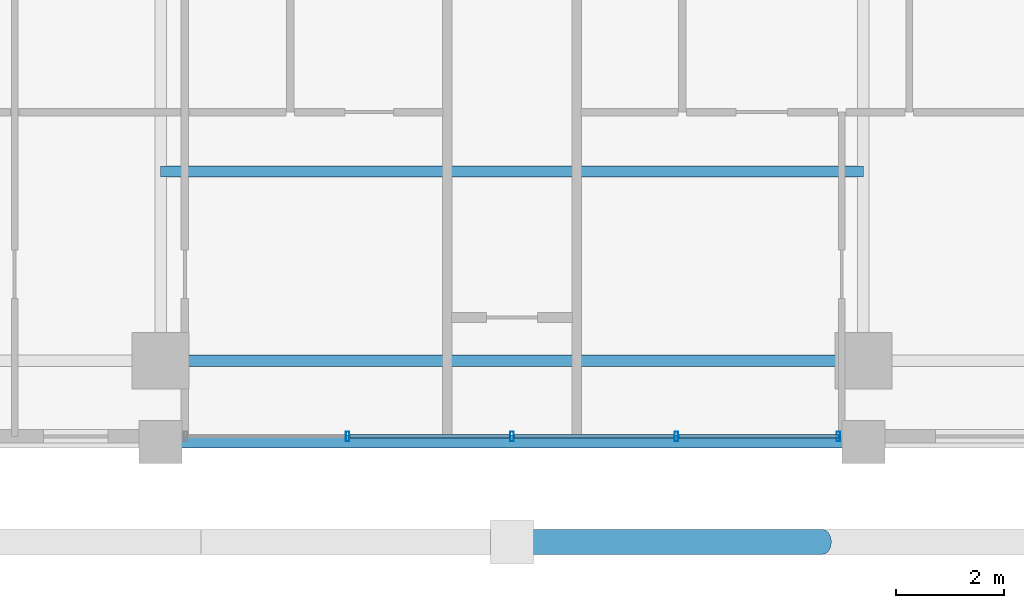
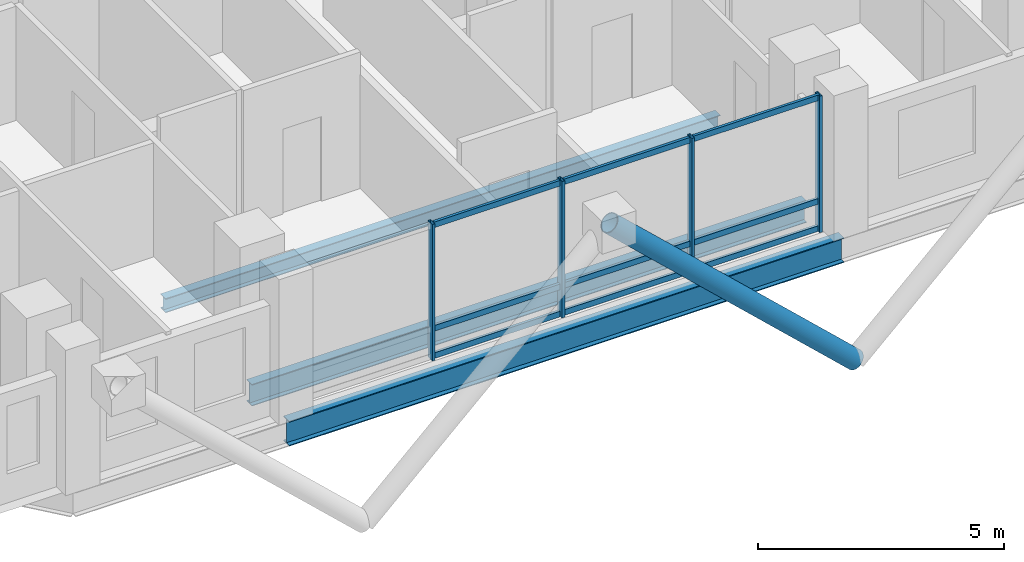
# One storey, part 4 of 24: 14 members, 3 beams, 1 element without a shape of its own.
"""IFC4 building model written with IfcOpenShell, lengths in metres."""

import ifcopenshell
import ifcopenshell.guid

model = None  # the IFC model being written
_history = None  # IfcOwnerHistory: only IFC2X3 demands one
_inside = {}  # id of a spatial element -> (the spatial element, [elements in it])
_under = {}  # id of a project, library or spatial element -> (it, [spatial elements below it])
_declared = {}  # id of a project -> (the project, [libraries it declares])
_typed = {}  # id of a type object -> (the type object, [elements of that type])
_made_of = {}  # id of a material, layer set ... -> (it, [elements and type objects made of it])


def new_model(schema):
    """Start an empty IFC model of exactly this schema.

    Asked for "IFC4X3", IfcOpenShell would pick the latest addendum, in which some entities
    have other attributes; the version numbers below select the first issue.
    IFC2X3 requires an IfcOwnerHistory on every rooted entity: one is made here for all.
    """
    global model, _history
    if schema == "IFC4X3":
        model = ifcopenshell.file(schema_version=(4, 3, 0, 0))
    else:
        model = ifcopenshell.file(schema=schema)
    _inside.clear()
    _under.clear()
    _declared.clear()
    _typed.clear()
    _made_of.clear()
    _history = None
    if model.schema == "IFC2X3":
        org = make("IfcOrganization", Name="unknown")
        user = make(
            "IfcPersonAndOrganization",
            ThePerson=make("IfcPerson", FamilyName="unknown"),
            TheOrganization=org,
        )
        app = make(
            "IfcApplication",
            ApplicationDeveloper=org,
            Version="unknown",
            ApplicationFullName="unknown",
            ApplicationIdentifier="unknown",
        )
        _history = make(
            "IfcOwnerHistory",
            OwningUser=user,
            OwningApplication=app,
            ChangeAction="ADDED",
            CreationDate=0,
        )
    return model


def make(cls, **values):
    """One entity of the class cls with the attributes given. An attribute that is None is left unset."""
    return model.create_entity(
        cls, **{name: value for name, value in values.items() if value is not None}
    )


def rooted(cls, **values):
    """An entity with a GlobalId (a new one), such as an element, a storey or a relation."""
    return make(cls, GlobalId=ifcopenshell.guid.new(), OwnerHistory=_history, **values)


def si_unit(unit_type, name, prefix=None):
    """IfcSIUnit, for example si_unit("LENGTHUNIT", "METRE", prefix="MILLI")."""
    return make("IfcSIUnit", UnitType=unit_type, Prefix=prefix, Name=name)


def assignment(units):
    """IfcUnitAssignment: the units of a project."""
    return None if units is None else make("IfcUnitAssignment", Units=units)


def point(xyz):
    """IfcCartesianPoint."""
    return None if xyz is None else make("IfcCartesianPoint", Coordinates=xyz)


def direction(xyz):
    """IfcDirection."""
    return None if xyz is None else make("IfcDirection", DirectionRatios=xyz)


def frame(location, z_axis=None, x_axis=None):
    """IfcAxis2Placement3D, a coordinate frame: its origin and axes. An axis left out is left unset."""
    return make(
        "IfcAxis2Placement3D",
        Location=point(location),
        Axis=direction(z_axis),
        RefDirection=direction(x_axis),
    )


def frame_2d(location, x_axis=None):
    """IfcAxis2Placement2D, a coordinate frame in the plane: its origin and x axis."""
    return make(
        "IfcAxis2Placement2D", Location=point(location), RefDirection=direction(x_axis)
    )


def origin():
    """The frame at (0, 0, 0) with its axes left unset."""
    return frame((0.0, 0.0, 0.0))


def origin_2d():
    """The frame at (0, 0) in the plane with its x axis left unset."""
    return frame_2d((0.0, 0.0))


def place(relative_to, where):
    """IfcLocalPlacement: puts the frame where relative to a parent placement (None: the world)."""
    return make(
        "IfcLocalPlacement", PlacementRelTo=relative_to, RelativePlacement=where
    )


def context(
    kind, dimensions, precision=None, world=None, true_north=None, identifier=None
):
    """IfcGeometricRepresentationContext, for example the 3D "Model" context."""
    return make(
        "IfcGeometricRepresentationContext",
        ContextIdentifier=identifier,
        ContextType=kind,
        CoordinateSpaceDimension=dimensions,
        Precision=precision,
        WorldCoordinateSystem=world,
        TrueNorth=true_north,
    )


def subcontext(parent, identifier, kind, view, scale=None):
    """IfcGeometricRepresentationSubContext, for example "Body" below "Model"."""
    return make(
        "IfcGeometricRepresentationSubContext",
        ContextIdentifier=identifier,
        ContextType=kind,
        ParentContext=parent,
        TargetScale=scale,
        TargetView=view,
    )


def project(units=None, contexts=None):
    """IfcProject with its units and contexts."""
    return rooted(
        "IfcProject",
        Name="project",
        RepresentationContexts=contexts,
        UnitsInContext=assignment(units),
    )


def spatial(cls, under=None, at=None, **own):
    """A site, building, storey or space (cls), placed at a placement, below another one or the project."""
    s = rooted(cls, ObjectPlacement=at, **own)
    if under is not None:
        _under.setdefault(under.id(), (under, []))[1].append(s)
    return s


def profile(cls, at=None, kind="AREA", **sizes):
    """A parametric profile (cls). Its sizes go by their IFC names, for example OverallWidth=200.0."""
    return make(cls, ProfileType=kind, Position=at, **sizes)


def hollow_rectangle(**sizes):
    """IfcRectangleHollowProfileDef."""
    return profile("IfcRectangleHollowProfileDef", **sizes)


def hollow_circle(**sizes):
    """IfcCircleHollowProfileDef."""
    return profile("IfcCircleHollowProfileDef", **sizes)


def i_section(**sizes):
    """IfcIShapeProfileDef."""
    return profile("IfcIShapeProfileDef", **sizes)


def extrude(swept, where, along, depth):
    """IfcExtrudedAreaSolid: the profile swept, set in the frame where, extruded along a direction by depth."""
    return make(
        "IfcExtrudedAreaSolid",
        SweptArea=swept,
        Position=where,
        ExtrudedDirection=direction(along),
        Depth=depth,
    )


def shape(context_of_items, identifier, shape_type, items):
    """IfcShapeRepresentation: the items that make up one representation, for example the "Body"."""
    return make(
        "IfcShapeRepresentation",
        ContextOfItems=context_of_items,
        RepresentationIdentifier=identifier,
        RepresentationType=shape_type,
        Items=items,
    )


def material(Name=None, Category=None):
    """IfcMaterial."""
    return make("IfcMaterial", Name=Name, Category=Category)


def layer(
    of_material, thickness, ventilated=None, Name=None, Category=None, Priority=None
):
    """IfcMaterialLayer: one layer of a wall or slab, of a material (None: an air gap)."""
    return make(
        "IfcMaterialLayer",
        Material=of_material,
        LayerThickness=thickness,
        IsVentilated=ventilated,
        Name=Name,
        Category=Category,
        Priority=Priority,
    )


def layer_set(layers, Name=None):
    """IfcMaterialLayerSet."""
    return make("IfcMaterialLayerSet", MaterialLayers=layers, LayerSetName=Name)


def material_profile(
    of_material, cross_section, Name=None, Category=None, Priority=None
):
    """IfcMaterialProfile: a cross section and its material."""
    return make(
        "IfcMaterialProfile",
        Name=Name,
        Material=of_material,
        Profile=cross_section,
        Priority=Priority,
        Category=Category,
    )


def profile_set(profiles, Name=None, composite=None):
    """IfcMaterialProfileSet."""
    return make(
        "IfcMaterialProfileSet",
        Name=Name,
        MaterialProfiles=profiles,
        CompositeProfile=composite,
    )


def made_of(thing, what):
    """Note that an element or type object is made of a material, layer set ...; save() writes the relation."""
    if what is not None:
        _made_of.setdefault(what.id(), (what, []))[1].append(thing)
    return thing


def type_object(cls, material=None, **own):
    """A type object (cls), such as IfcWallType, which elements share."""
    return made_of(rooted(cls, **own), material)


def element(
    cls,
    number,
    at=None,
    inside=None,
    cuts=None,
    type_object=None,
    material=None,
    context=None,
    identifier="Body",
    shape_type=None,
    held_by="IfcProductDefinitionShape",
    body=None,
    shapes=None,
    **own,
):
    """One element of the class cls, such as IfcWall. Its Tag is "e" and its number.

    at: its placement. inside: the storey or other place that contains it. cuts: it is an
    opening in that element (IfcRelVoidsElement). A single representation is given by context,
    identifier, shape_type and body (its items); several are given by shapes. held_by: the class
    of the entity that holds the representations. save() writes the other relations.
    """
    e = rooted(cls, Tag="e%d" % number, ObjectPlacement=at, **own)
    if body is not None:
        shapes = [shape(context, identifier, shape_type, body)]
    if shapes is not None:
        e.Representation = make(held_by, Representations=shapes)
    if inside is not None:
        _inside.setdefault(inside.id(), (inside, []))[1].append(e)
    if cuts is not None:
        rooted(
            "IfcRelVoidsElement", RelatingBuildingElement=cuts, RelatedOpeningElement=e
        )
    if type_object is not None:
        _typed.setdefault(type_object.id(), (type_object, []))[1].append(e)
    return made_of(e, material)


def aggregate(whole, parts):
    """IfcRelAggregates: a whole, such as a stair, and the parts it consists of."""
    return rooted("IfcRelAggregates", RelatingObject=whole, RelatedObjects=parts)


def save(model, path):
    """Write the relations noted so far, then the file.

    IfcRelAggregates (storeys below a building ...), IfcRelContainedInSpatialStructure (elements
    in a storey), IfcRelDefinesByType, IfcRelAssociatesMaterial and IfcRelDeclares: one each for
    every whole, place, type object, material and project.
    """
    for whole, parts in _under.values():
        aggregate(whole, parts)
    for where, things in _inside.values():
        rooted(
            "IfcRelContainedInSpatialStructure",
            RelatedElements=things,
            RelatingStructure=where,
        )
    for kind, things in _typed.values():
        rooted("IfcRelDefinesByType", RelatedObjects=things, RelatingType=kind)
    for what, things in _made_of.values():
        rooted("IfcRelAssociatesMaterial", RelatedObjects=things, RelatingMaterial=what)
    for by, libraries in _declared.values():
        rooted("IfcRelDeclares", RelatingContext=by, RelatedDefinitions=libraries)
    model.write(path)


model = new_model("IFC4")

# Units and contexts
model_context = context("Model", 3, precision=1e-05, world=origin(), true_north=direction((0.0, 1.0)))
body_context = subcontext(model_context, "Body", "Model", "MODEL_VIEW")
ifc_project = project(units=[si_unit("LENGTHUNIT", "METRE"), si_unit("AREAUNIT", "SQUARE_METRE"), si_unit("VOLUMEUNIT", "CUBIC_METRE"), si_unit("PLANEANGLEUNIT", "RADIAN"), si_unit("MASSUNIT", "GRAM", prefix="KILO")], contexts=[model_context])

# Site, building, storey
site_placement = place(None, origin())
site = spatial("IfcSite", under=ifc_project, at=site_placement, CompositionType="ELEMENT")
building_placement = place(site_placement, origin())
building = spatial("IfcBuilding", under=site, at=building_placement, Name="Barlavira Tower and Art Museum", CompositionType="ELEMENT")
storey_placement = place(building_placement, frame((0.0, 0.0, 194.39990234375)))
storey = spatial("IfcBuildingStorey", under=building, at=storey_placement, Name="L50", CompositionType="ELEMENT", Elevation=194.39990234375)

# Curtain wall, members
ifc_material_1 = material(Name="Low-iron coastal laminated glass", Category="glass")
ifc_layer = layer(ifc_material_1, 0.199951171875, Name="Low-iron coastal laminated glass")
ifc_layer_set = layer_set([ifc_layer], Name="Low-iron coastal laminated glass")
curtain_wall_type = type_object("IfcCurtainWallType", Name="Pale-Metal Unitised Curtain Wall Zone 3", PredefinedType="NOTDEFINED", material=ifc_layer_set)
curtain_wall_placement = place(storey_placement, origin())
curtain_wall = element("IfcCurtainWall", 1, at=curtain_wall_placement, inside=storey, type_object=curtain_wall_type, Name="L50 Curtain Wall CW3-L50-S-B3", PredefinedType="NOTDEFINED")
ifc_material_2 = material(Name="Pale anodised aluminium", Category="aluminium")
ifc_material_profile_1 = material_profile(ifc_material_2, hollow_rectangle(XDim=0.06494140625, YDim=0.179931640625, WallThickness=0.00390625, at=origin_2d()), Name="ALU-MULL 65x180x4")
ifc_profile_set_1 = profile_set([ifc_material_profile_1], Name="Pale anodised aluminium")
member_type_1 = type_object("IfcMemberType", Name="Curtain Wall Pale-Metal Mullion 65x180", PredefinedType="MULLION", material=ifc_profile_set_1)
member_1_placement = place(storey_placement, frame((-3.0400390625, -21.39990234375, 0.0), z_axis=(0.0, 0.0, 1.0), x_axis=(1.0, 0.0, 0.0)))
member_1 = element("IfcMember", 2, at=member_1_placement, type_object=member_type_1, Name="CW3-L50-S-B3 Mullion 1", PredefinedType="MULLION", context=body_context, shape_type="SweptSolid", body=[
    extrude(hollow_rectangle(XDim=0.06494140625, YDim=0.179931640625, WallThickness=0.00390625, at=origin_2d()), origin(), (0.0, 0.0, 1.0), 3.380126953125),
])
member_2_placement = place(storey_placement, frame((0.0, -21.39990234375, 0.0), z_axis=(0.0, 0.0, 1.0), x_axis=(1.0, 0.0, 0.0)))
member_2 = element("IfcMember", 3, at=member_2_placement, type_object=member_type_1, Name="CW3-L50-S-B3 Mullion 2", PredefinedType="MULLION", context=body_context, shape_type="SweptSolid", body=[
    extrude(hollow_rectangle(XDim=0.06494140625, YDim=0.179931640625, WallThickness=0.00390625, at=origin_2d()), origin(), (0.0, 0.0, 1.0), 3.380126953125),
])
member_3_placement = place(storey_placement, frame((3.0400390625, -21.39990234375, 0.0), z_axis=(0.0, 0.0, 1.0), x_axis=(1.0, 0.0, 0.0)))
member_3 = element("IfcMember", 4, at=member_3_placement, type_object=member_type_1, Name="CW3-L50-S-B3 Mullion 3", PredefinedType="MULLION", context=body_context, shape_type="SweptSolid", body=[
    extrude(hollow_rectangle(XDim=0.06494140625, YDim=0.179931640625, WallThickness=0.00390625, at=origin_2d()), origin(), (0.0, 0.0, 1.0), 3.380126953125),
])
member_4_placement = place(storey_placement, frame((6.034912109375, -21.39990234375, 0.0), z_axis=(0.0, 0.0, 1.0), x_axis=(1.0, 0.0, 0.0)))
member_4 = element("IfcMember", 5, at=member_4_placement, type_object=member_type_1, Name="CW3-L50-S-B3 Mullion 4", PredefinedType="MULLION", context=body_context, shape_type="SweptSolid", body=[
    extrude(hollow_rectangle(XDim=0.06494140625, YDim=0.179931640625, WallThickness=0.00390625, at=origin_2d()), origin(), (0.0, 0.0, 1.0), 3.380126953125),
])
ifc_material_profile_2 = material_profile(ifc_material_2, hollow_rectangle(XDim=0.06494140625, YDim=0.139892578125, WallThickness=0.00390625, at=origin_2d()), Name="ALU-TRAN 65x140x4")
ifc_profile_set_2 = profile_set([ifc_material_profile_2], Name="Pale anodised aluminium")
member_type_2 = type_object("IfcMemberType", Name="Curtain Wall Pale-Metal Transom 65x140", PredefinedType="USERDEFINED", material=ifc_profile_set_2)
member_5_placement = place(storey_placement, frame((-2.9951171875, -21.39990234375, 0.070068359375), z_axis=(1.0, 0.0, 0.0), x_axis=(0.0, 1.0, 0.0)))
member_5 = element("IfcMember", 6, at=member_5_placement, type_object=member_type_2, Name="CW3-L50-S-B3 Transom 1.1", ObjectType="TRANSOM", PredefinedType="USERDEFINED", context=body_context, shape_type="SweptSolid", body=[
    extrude(hollow_rectangle(XDim=0.06494140625, YDim=0.139892578125, WallThickness=0.00390625, at=origin_2d()), origin(), (0.0, 0.0, 1.0), 2.9501953125),
])
member_6_placement = place(storey_placement, frame((-2.9951171875, -21.39990234375, 0.744140625), z_axis=(1.0, 0.0, 0.0), x_axis=(0.0, 1.0, 0.0)))
member_6 = element("IfcMember", 7, at=member_6_placement, type_object=member_type_2, Name="CW3-L50-S-B3 Transom 1.2", ObjectType="TRANSOM", PredefinedType="USERDEFINED", context=body_context, shape_type="SweptSolid", body=[
    extrude(hollow_rectangle(XDim=0.06494140625, YDim=0.139892578125, WallThickness=0.00390625, at=origin_2d()), origin(), (0.0, 0.0, 1.0), 2.9501953125),
])
member_7_placement = place(storey_placement, frame((-2.9951171875, -21.39990234375, 3.31005859375), z_axis=(1.0, 0.0, 0.0), x_axis=(0.0, 1.0, 0.0)))
member_7 = element("IfcMember", 8, at=member_7_placement, type_object=member_type_2, Name="CW3-L50-S-B3 Transom 1.3", ObjectType="TRANSOM", PredefinedType="USERDEFINED", context=body_context, shape_type="SweptSolid", body=[
    extrude(hollow_rectangle(XDim=0.06494140625, YDim=0.139892578125, WallThickness=0.00390625, at=origin_2d()), origin(), (0.0, 0.0, 1.0), 2.9501953125),
])
member_8_placement = place(storey_placement, frame((0.044921875, -21.39990234375, 0.070068359375), z_axis=(1.0, 0.0, 0.0), x_axis=(0.0, 1.0, 0.0)))
member_8 = element("IfcMember", 9, at=member_8_placement, type_object=member_type_2, Name="CW3-L50-S-B3 Transom 2.1", ObjectType="TRANSOM", PredefinedType="USERDEFINED", context=body_context, shape_type="SweptSolid", body=[
    extrude(hollow_rectangle(XDim=0.06494140625, YDim=0.139892578125, WallThickness=0.00390625, at=origin_2d()), origin(), (0.0, 0.0, 1.0), 2.9501953125),
])
member_9_placement = place(storey_placement, frame((0.044921875, -21.39990234375, 0.744140625), z_axis=(1.0, 0.0, 0.0), x_axis=(0.0, 1.0, 0.0)))
member_9 = element("IfcMember", 10, at=member_9_placement, type_object=member_type_2, Name="CW3-L50-S-B3 Transom 2.2", ObjectType="TRANSOM", PredefinedType="USERDEFINED", context=body_context, shape_type="SweptSolid", body=[
    extrude(hollow_rectangle(XDim=0.06494140625, YDim=0.139892578125, WallThickness=0.00390625, at=origin_2d()), origin(), (0.0, 0.0, 1.0), 2.9501953125),
])
member_10_placement = place(storey_placement, frame((0.044921875, -21.39990234375, 3.31005859375), z_axis=(1.0, 0.0, 0.0), x_axis=(0.0, 1.0, 0.0)))
member_10 = element("IfcMember", 11, at=member_10_placement, type_object=member_type_2, Name="CW3-L50-S-B3 Transom 2.3", ObjectType="TRANSOM", PredefinedType="USERDEFINED", context=body_context, shape_type="SweptSolid", body=[
    extrude(hollow_rectangle(XDim=0.06494140625, YDim=0.139892578125, WallThickness=0.00390625, at=origin_2d()), origin(), (0.0, 0.0, 1.0), 2.9501953125),
])
member_11_placement = place(storey_placement, frame((3.0849609375, -21.39990234375, 0.070068359375), z_axis=(1.0, 0.0, 0.0), x_axis=(0.0, 1.0, 0.0)))
member_11 = element("IfcMember", 12, at=member_11_placement, type_object=member_type_2, Name="CW3-L50-S-B3 Transom 3.1", ObjectType="TRANSOM", PredefinedType="USERDEFINED", context=body_context, shape_type="SweptSolid", body=[
    extrude(hollow_rectangle(XDim=0.06494140625, YDim=0.139892578125, WallThickness=0.00390625, at=origin_2d()), origin(), (0.0, 0.0, 1.0), 2.949951171875),
])
member_12_placement = place(storey_placement, frame((3.0849609375, -21.39990234375, 0.744140625), z_axis=(1.0, 0.0, 0.0), x_axis=(0.0, 1.0, 0.0)))
member_12 = element("IfcMember", 13, at=member_12_placement, type_object=member_type_2, Name="CW3-L50-S-B3 Transom 3.2", ObjectType="TRANSOM", PredefinedType="USERDEFINED", context=body_context, shape_type="SweptSolid", body=[
    extrude(hollow_rectangle(XDim=0.06494140625, YDim=0.139892578125, WallThickness=0.00390625, at=origin_2d()), origin(), (0.0, 0.0, 1.0), 2.949951171875),
])
member_13_placement = place(storey_placement, frame((3.0849609375, -21.39990234375, 3.31005859375), z_axis=(1.0, 0.0, 0.0), x_axis=(0.0, 1.0, 0.0)))
member_13 = element("IfcMember", 14, at=member_13_placement, type_object=member_type_2, Name="CW3-L50-S-B3 Transom 3.3", ObjectType="TRANSOM", PredefinedType="USERDEFINED", context=body_context, shape_type="SweptSolid", body=[
    extrude(hollow_rectangle(XDim=0.06494140625, YDim=0.139892578125, WallThickness=0.00390625, at=origin_2d()), origin(), (0.0, 0.0, 1.0), 2.949951171875),
])
aggregate(curtain_wall, [member_1, member_2, member_3, member_4, member_5, member_6, member_7, member_8, member_9, member_10, member_11, member_12, member_13])

# Member
ifc_material_3 = material(Name="Steel S355", Category="steel")
ifc_material_profile_3 = material_profile(ifc_material_3, hollow_circle(Radius=0.228515625, WallThickness=0.02001953125, at=origin_2d()), Name="CHS 457.0x20.0")
ifc_profile_set_3 = profile_set([ifc_material_profile_3], Name="Steel S355")
member_type_3 = type_object("IfcMemberType", Name="Pale-Metal Exoskeleton Diagrid Tube CHS 457x20 Steel S355", PredefinedType="BRACE", material=ifc_profile_set_3)
member_14_placement = place(storey_placement, frame((5.75, -23.35009765625, -1.919921875), z_axis=(-0.728950095515, 0.0, 0.684566839869), x_axis=(0.0, -1.0, 0.0)))
element("IfcMember", 15, at=member_14_placement, inside=storey, type_object=member_type_3, Name="L50 Exoskeleton Diagrid Tube S", PredefinedType="BRACE", context=body_context, shape_type="SweptSolid", body=[
    extrude(hollow_circle(Radius=0.228515625, WallThickness=0.02001953125, at=origin_2d()), origin(), (0.0, 0.0, 1.0), 7.887939453125),
])

# Beams
ifc_material_profile_4 = material_profile(ifc_material_3, i_section(OverallWidth=0.22998046875, OverallDepth=0.616943359375, WebThickness=0.01318359375, FlangeThickness=0.022216796875, at=origin_2d()), Name="W610x140.0")
ifc_profile_set_4 = profile_set([ifc_material_profile_4], Name="Steel S355")
beam_type_1 = type_object("IfcBeamType", Name="Upper Shaft Spandrel Edge Beam W610x140 Steel S355", PredefinedType="SPANDREL", material=ifc_profile_set_4)
beam_1_placement = place(storey_placement, frame((-6.5, -21.5, -0.5283203125), z_axis=(1.0, 0.0, 0.0), x_axis=(0.0, 1.0, 0.0)))
element("IfcBeam", 16, at=beam_1_placement, inside=storey, type_object=beam_type_1, Name="L50 Spandrel 2", PredefinedType="SPANDREL", context=body_context, shape_type="SweptSolid", body=[
    extrude(i_section(OverallWidth=0.22998046875, OverallDepth=0.616943359375, WebThickness=0.01318359375, FlangeThickness=0.022216796875, at=origin_2d()), origin(), (0.0, 0.0, 1.0), 13.0),
])
ifc_material_profile_5 = material_profile(ifc_material_3, i_section(OverallWidth=0.205078125, OverallDepth=0.35400390625, WebThickness=0.009521484375, FlangeThickness=0.016845703125, at=origin_2d()), Name="W360x79.0")
ifc_profile_set_5 = profile_set([ifc_material_profile_5], Name="Steel S355")
beam_type_2 = type_object("IfcBeamType", Name="Zone 3 Composite Floor Joist W360x79 Steel S355", PredefinedType="JOIST", material=ifc_profile_set_5)
beam_2_placement = place(storey_placement, frame((-6.5, -16.5, -0.39697265625), z_axis=(1.0, 0.0, 0.0), x_axis=(0.0, 1.0, 0.0)))
element("IfcBeam", 17, at=beam_2_placement, inside=storey, type_object=beam_type_2, Name="L50 Joist C1", PredefinedType="JOIST", context=body_context, shape_type="SweptSolid", body=[
    extrude(i_section(OverallWidth=0.205078125, OverallDepth=0.35400390625, WebThickness=0.009521484375, FlangeThickness=0.016845703125, at=origin_2d()), origin(), (0.0, 0.0, 1.0), 13.0),
])
ifc_material_profile_6 = material_profile(ifc_material_3, i_section(OverallWidth=0.2109375, OverallDepth=0.5390625, WebThickness=0.01171875, FlangeThickness=0.018798828125, at=origin_2d()), Name="W530x109.0")
ifc_profile_set_6 = profile_set([ifc_material_profile_6], Name="Steel S355")
beam_type_3 = type_object("IfcBeamType", Name="Zone 3-4 Primary Floor Girder W530x109 Steel S355", PredefinedType="BEAM", material=ifc_profile_set_6)
beam_3_placement = place(storey_placement, frame((-6.5, -20.0, -0.489501953125), z_axis=(1.0, 0.0, 0.0), x_axis=(0.0, 1.0, 0.0)))
element("IfcBeam", 18, at=beam_3_placement, inside=storey, type_object=beam_type_3, Name="L50 Girder M-S2", PredefinedType="BEAM", context=body_context, shape_type="SweptSolid", body=[
    extrude(i_section(OverallWidth=0.2109375, OverallDepth=0.5390625, WebThickness=0.01171875, FlangeThickness=0.018798828125, at=origin_2d()), origin(), (0.0, 0.0, 1.0), 13.0),
])

save(model, "model.ifc")
